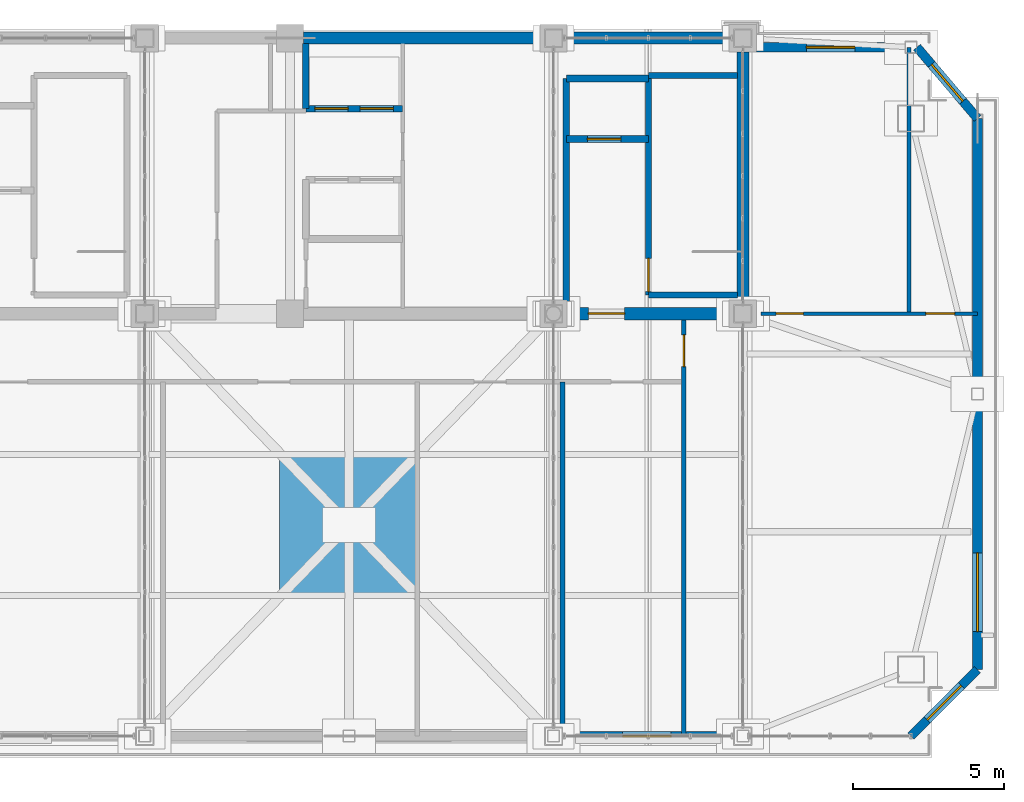
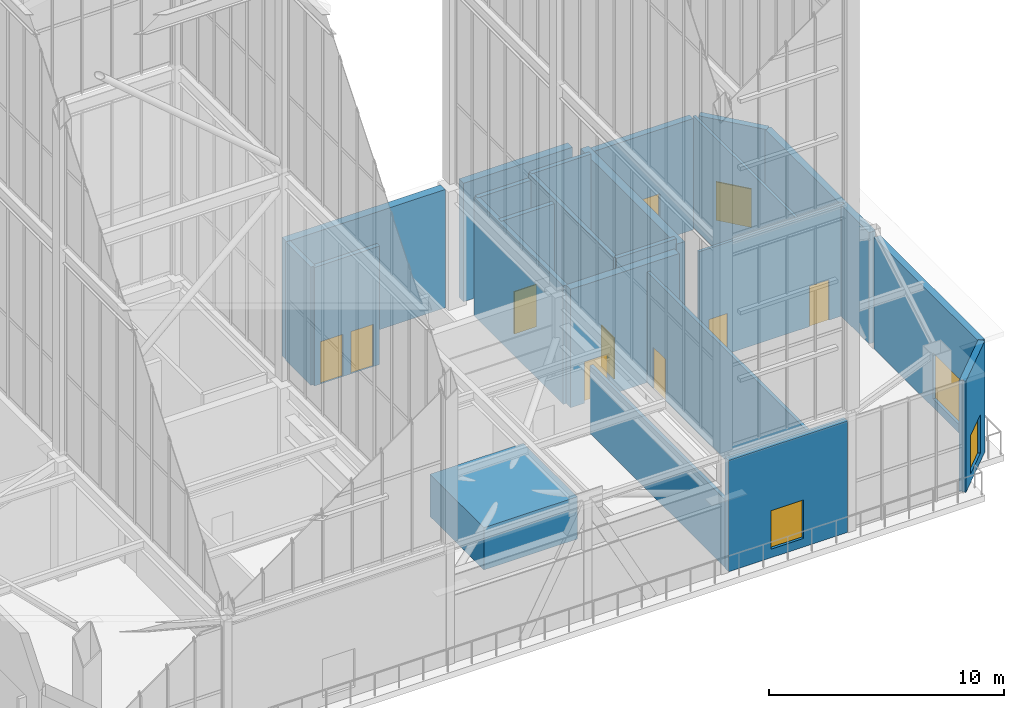
# One storey, part 132 of 135: 22 walls, 8 doors, 5 windows, 1 discrete accessory, 13 openings.
"""IFC4 building model written with IfcOpenShell, lengths in metres."""

import ifcopenshell
import ifcopenshell.guid

model = None  # the IFC model being written
_history = None  # IfcOwnerHistory: only IFC2X3 demands one
_inside = {}  # id of a spatial element -> (the spatial element, [elements in it])
_under = {}  # id of a project, library or spatial element -> (it, [spatial elements below it])
_declared = {}  # id of a project -> (the project, [libraries it declares])
_typed = {}  # id of a type object -> (the type object, [elements of that type])
_made_of = {}  # id of a material, layer set ... -> (it, [elements and type objects made of it])


def new_model(schema):
    """Start an empty IFC model of exactly this schema.

    Asked for "IFC4X3", IfcOpenShell would pick the latest addendum, in which some entities
    have other attributes; the version numbers below select the first issue.
    IFC2X3 requires an IfcOwnerHistory on every rooted entity: one is made here for all.
    """
    global model, _history
    if schema == "IFC4X3":
        model = ifcopenshell.file(schema_version=(4, 3, 0, 0))
    else:
        model = ifcopenshell.file(schema=schema)
    _inside.clear()
    _under.clear()
    _declared.clear()
    _typed.clear()
    _made_of.clear()
    _history = None
    if model.schema == "IFC2X3":
        org = make("IfcOrganization", Name="unknown")
        user = make(
            "IfcPersonAndOrganization",
            ThePerson=make("IfcPerson", FamilyName="unknown"),
            TheOrganization=org,
        )
        app = make(
            "IfcApplication",
            ApplicationDeveloper=org,
            Version="unknown",
            ApplicationFullName="unknown",
            ApplicationIdentifier="unknown",
        )
        _history = make(
            "IfcOwnerHistory",
            OwningUser=user,
            OwningApplication=app,
            ChangeAction="ADDED",
            CreationDate=0,
        )
    return model


def make(cls, **values):
    """One entity of the class cls with the attributes given. An attribute that is None is left unset."""
    return model.create_entity(
        cls, **{name: value for name, value in values.items() if value is not None}
    )


def rooted(cls, **values):
    """An entity with a GlobalId (a new one), such as an element, a storey or a relation."""
    return make(cls, GlobalId=ifcopenshell.guid.new(), OwnerHistory=_history, **values)


def si_unit(unit_type, name, prefix=None):
    """IfcSIUnit, for example si_unit("LENGTHUNIT", "METRE", prefix="MILLI")."""
    return make("IfcSIUnit", UnitType=unit_type, Prefix=prefix, Name=name)


def assignment(units):
    """IfcUnitAssignment: the units of a project."""
    return None if units is None else make("IfcUnitAssignment", Units=units)


def point(xyz):
    """IfcCartesianPoint."""
    return None if xyz is None else make("IfcCartesianPoint", Coordinates=xyz)


def direction(xyz):
    """IfcDirection."""
    return None if xyz is None else make("IfcDirection", DirectionRatios=xyz)


def frame(location, z_axis=None, x_axis=None):
    """IfcAxis2Placement3D, a coordinate frame: its origin and axes. An axis left out is left unset."""
    return make(
        "IfcAxis2Placement3D",
        Location=point(location),
        Axis=direction(z_axis),
        RefDirection=direction(x_axis),
    )


def frame_2d(location, x_axis=None):
    """IfcAxis2Placement2D, a coordinate frame in the plane: its origin and x axis."""
    return make(
        "IfcAxis2Placement2D", Location=point(location), RefDirection=direction(x_axis)
    )


def origin():
    """The frame at (0, 0, 0) with its axes left unset."""
    return frame((0.0, 0.0, 0.0))


def origin_2d():
    """The frame at (0, 0) in the plane with its x axis left unset."""
    return frame_2d((0.0, 0.0))


def place(relative_to, where):
    """IfcLocalPlacement: puts the frame where relative to a parent placement (None: the world)."""
    return make(
        "IfcLocalPlacement", PlacementRelTo=relative_to, RelativePlacement=where
    )


def context(
    kind, dimensions, precision=None, world=None, true_north=None, identifier=None
):
    """IfcGeometricRepresentationContext, for example the 3D "Model" context."""
    return make(
        "IfcGeometricRepresentationContext",
        ContextIdentifier=identifier,
        ContextType=kind,
        CoordinateSpaceDimension=dimensions,
        Precision=precision,
        WorldCoordinateSystem=world,
        TrueNorth=true_north,
    )


def subcontext(parent, identifier, kind, view, scale=None):
    """IfcGeometricRepresentationSubContext, for example "Body" below "Model"."""
    return make(
        "IfcGeometricRepresentationSubContext",
        ContextIdentifier=identifier,
        ContextType=kind,
        ParentContext=parent,
        TargetScale=scale,
        TargetView=view,
    )


def project(units=None, contexts=None):
    """IfcProject with its units and contexts."""
    return rooted(
        "IfcProject",
        Name="project",
        RepresentationContexts=contexts,
        UnitsInContext=assignment(units),
    )


def spatial(cls, under=None, at=None, **own):
    """A site, building, storey or space (cls), placed at a placement, below another one or the project."""
    s = rooted(cls, ObjectPlacement=at, **own)
    if under is not None:
        _under.setdefault(under.id(), (under, []))[1].append(s)
    return s


def profile(cls, at=None, kind="AREA", **sizes):
    """A parametric profile (cls). Its sizes go by their IFC names, for example OverallWidth=200.0."""
    return make(cls, ProfileType=kind, Position=at, **sizes)


def rectangle(**sizes):
    """IfcRectangleProfileDef."""
    return profile("IfcRectangleProfileDef", **sizes)


def extrude(swept, where, along, depth):
    """IfcExtrudedAreaSolid: the profile swept, set in the frame where, extruded along a direction by depth."""
    return make(
        "IfcExtrudedAreaSolid",
        SweptArea=swept,
        Position=where,
        ExtrudedDirection=direction(along),
        Depth=depth,
    )


def shape(context_of_items, identifier, shape_type, items):
    """IfcShapeRepresentation: the items that make up one representation, for example the "Body"."""
    return make(
        "IfcShapeRepresentation",
        ContextOfItems=context_of_items,
        RepresentationIdentifier=identifier,
        RepresentationType=shape_type,
        Items=items,
    )


def source(mapping_origin, context_of_items, identifier, shape_type, items):
    """IfcRepresentationMap: a shape defined once, which mapped items show again and again."""
    return make(
        "IfcRepresentationMap",
        MappingOrigin=mapping_origin,
        MappedRepresentation=shape(context_of_items, identifier, shape_type, items),
    )


def transform(
    local_origin,
    x_axis=None,
    y_axis=None,
    z_axis=None,
    scale=None,
    scale2=None,
    scale3=None,
    uniform=True,
):
    """IfcCartesianTransformationOperator3D, or its non-uniform kind. x_axis, y_axis, z_axis: its Axis1, 2, 3."""
    if uniform:
        return make(
            "IfcCartesianTransformationOperator3D",
            Axis1=direction(x_axis),
            Axis2=direction(y_axis),
            LocalOrigin=point(local_origin),
            Scale=scale,
            Axis3=direction(z_axis),
        )
    return make(
        "IfcCartesianTransformationOperator3DnonUniform",
        Axis1=direction(x_axis),
        Axis2=direction(y_axis),
        LocalOrigin=point(local_origin),
        Scale=scale,
        Axis3=direction(z_axis),
        Scale2=scale2,
        Scale3=scale3,
    )


def mapped(mapping_source, mapping_target):
    """IfcMappedItem: shows the shape of a source again, moved by a transform."""
    return make(
        "IfcMappedItem", MappingSource=mapping_source, MappingTarget=mapping_target
    )


def material(Name=None, Category=None):
    """IfcMaterial."""
    return make("IfcMaterial", Name=Name, Category=Category)


def layer(
    of_material, thickness, ventilated=None, Name=None, Category=None, Priority=None
):
    """IfcMaterialLayer: one layer of a wall or slab, of a material (None: an air gap)."""
    return make(
        "IfcMaterialLayer",
        Material=of_material,
        LayerThickness=thickness,
        IsVentilated=ventilated,
        Name=Name,
        Category=Category,
        Priority=Priority,
    )


def layer_set(layers, Name=None):
    """IfcMaterialLayerSet."""
    return make("IfcMaterialLayerSet", MaterialLayers=layers, LayerSetName=Name)


def made_of(thing, what):
    """Note that an element or type object is made of a material, layer set ...; save() writes the relation."""
    if what is not None:
        _made_of.setdefault(what.id(), (what, []))[1].append(thing)
    return thing


def type_object(cls, material=None, **own):
    """A type object (cls), such as IfcWallType, which elements share."""
    return made_of(rooted(cls, **own), material)


def element(
    cls,
    number,
    at=None,
    inside=None,
    cuts=None,
    type_object=None,
    material=None,
    context=None,
    identifier="Body",
    shape_type=None,
    held_by="IfcProductDefinitionShape",
    body=None,
    shapes=None,
    **own,
):
    """One element of the class cls, such as IfcWall. Its Tag is "e" and its number.

    at: its placement. inside: the storey or other place that contains it. cuts: it is an
    opening in that element (IfcRelVoidsElement). A single representation is given by context,
    identifier, shape_type and body (its items); several are given by shapes. held_by: the class
    of the entity that holds the representations. save() writes the other relations.
    """
    e = rooted(cls, Tag="e%d" % number, ObjectPlacement=at, **own)
    if body is not None:
        shapes = [shape(context, identifier, shape_type, body)]
    if shapes is not None:
        e.Representation = make(held_by, Representations=shapes)
    if inside is not None:
        _inside.setdefault(inside.id(), (inside, []))[1].append(e)
    if cuts is not None:
        rooted(
            "IfcRelVoidsElement", RelatingBuildingElement=cuts, RelatedOpeningElement=e
        )
    if type_object is not None:
        _typed.setdefault(type_object.id(), (type_object, []))[1].append(e)
    return made_of(e, material)


def fill(opening, filler):
    """IfcRelFillsElement: the door or window that sits in an opening."""
    return rooted(
        "IfcRelFillsElement",
        RelatingOpeningElement=opening,
        RelatedBuildingElement=filler,
    )


def aggregate(whole, parts):
    """IfcRelAggregates: a whole, such as a stair, and the parts it consists of."""
    return rooted("IfcRelAggregates", RelatingObject=whole, RelatedObjects=parts)


def save(model, path):
    """Write the relations noted so far, then the file.

    IfcRelAggregates (storeys below a building ...), IfcRelContainedInSpatialStructure (elements
    in a storey), IfcRelDefinesByType, IfcRelAssociatesMaterial and IfcRelDeclares: one each for
    every whole, place, type object, material and project.
    """
    for whole, parts in _under.values():
        aggregate(whole, parts)
    for where, things in _inside.values():
        rooted(
            "IfcRelContainedInSpatialStructure",
            RelatedElements=things,
            RelatingStructure=where,
        )
    for kind, things in _typed.values():
        rooted("IfcRelDefinesByType", RelatedObjects=things, RelatingType=kind)
    for what, things in _made_of.values():
        rooted("IfcRelAssociatesMaterial", RelatedObjects=things, RelatingMaterial=what)
    for by, libraries in _declared.values():
        rooted("IfcRelDeclares", RelatingContext=by, RelatedDefinitions=libraries)
    model.write(path)


model = new_model("IFC4")

# Units and contexts
model_context = context("Model", 3, precision=1e-05, world=origin(), true_north=direction((0.0, 1.0)))
body_context = subcontext(model_context, "Body", "Model", "MODEL_VIEW")
ifc_project = project(units=[si_unit("LENGTHUNIT", "METRE"), si_unit("AREAUNIT", "SQUARE_METRE"), si_unit("VOLUMEUNIT", "CUBIC_METRE"), si_unit("PLANEANGLEUNIT", "RADIAN"), si_unit("MASSUNIT", "GRAM", prefix="KILO")], contexts=[model_context])

# Site, building, storey
site_placement = place(None, origin())
site = spatial("IfcSite", under=ifc_project, at=site_placement, CompositionType="ELEMENT")
building_placement = place(site_placement, origin())
building = spatial("IfcBuilding", under=site, at=building_placement, Name="Giltprow Tower", CompositionType="ELEMENT")
storey_placement = place(building_placement, frame((0.0, 0.0, 352.699951171875)))
storey = spatial("IfcBuildingStorey", under=building, at=storey_placement, Name="L92", CompositionType="ELEMENT", Elevation=352.699951171875)

# Wall, opening, window
ifc_material_1 = material(Name="Precast concrete C40", Category="concrete")
ifc_layer_1 = layer(ifc_material_1, 0.300048828125, Name="Precast concrete C40")
ifc_layer_set_1 = layer_set([ifc_layer_1], Name="Precast concrete C40")
wall_type_1 = type_object("IfcWallType", Name="EW-NOTCH-CHAMFER-300", PredefinedType="SOLIDWALL", material=ifc_layer_set_1)
wall_1_placement = place(storey_placement, frame((56.10009765625, 23.5, 0.0), z_axis=(0.0, 0.0, 1.0), x_axis=(0.707106781187, 0.707106781187, 0.0)))
wall_1 = element("IfcWall", 1, at=wall_1_placement, inside=storey, type_object=wall_type_1, Name="L92 Corner Notch Wall SE", PredefinedType="SOLIDWALL", context=body_context, shape_type="SweptSolid", body=[
    extrude(rectangle(XDim=3.111083984375, YDim=0.300048828125, at=frame_2d((1.5556640625, 0.0))), origin(), (0.0, 0.0, 1.0), 5.7900390625),
])
opening_1_placement = place(wall_1_placement, frame((0.756103515625, 0.0, 0.449951171875)))
opening_1 = element("IfcOpeningElement", 2, at=opening_1_placement, cuts=wall_1, Name="Opening WN17", PredefinedType="OPENING", context=body_context, shape_type="SweptSolid", body=[
    extrude(rectangle(XDim=1.60009765625, YDim=2.0, at=frame_2d((0.800048828125, 1.0))), frame((0.0, 0.159912109375, 0.0), z_axis=(0.0, -1.0, 0.0), x_axis=(1.0, 0.0, 0.0)), (0.0, 0.0, 1.0), 0.320068359375),
])
ifc_material_2 = material(Name="Insulated glass", Category="glass")
window_type_1 = type_object("IfcWindowType", Name="WN-COR-1600x2000", PartitioningType="SINGLE_PANEL", PredefinedType="WINDOW", material=ifc_material_2)
shared_shape_1 = source(origin(), body_context, "Body", "SweptSolid", [
    extrude(rectangle(XDim=1.60009765625, YDim=2.0, at=frame_2d((0.800048828125, 1.0))), frame((0.0, 0.030029296875, 0.0), z_axis=(0.0, -1.0, 0.0), x_axis=(1.0, 0.0, 0.0)), (0.0, 0.0, 1.0), 0.06005859375),
])
window_1_placement = place(opening_1_placement, origin())
window_1 = element("IfcWindow", 3, at=window_1_placement, inside=storey, type_object=window_type_1, Name="L92 Corner Notch Window SE", OverallHeight=2.0, OverallWidth=1.60009765625, PartitioningType="SINGLE_PANEL", PredefinedType="WINDOW", context=body_context, shape_type="MappedRepresentation", body=[
    mapped(shared_shape_1, transform((0.0, 0.0, 0.0), x_axis=(1.0, 0.0, 0.0), y_axis=(0.0, 1.0, 0.0), z_axis=(0.0, 0.0, 1.0), scale=1.0)),
])
fill(opening_1, window_1)

wall_2_placement = place(storey_placement, frame((58.300048828125, 43.89990234375, 0.0), z_axis=(0.0, 0.0, 1.0), x_axis=(-0.648103010114, 0.761552682538, 0.0)))
wall_2 = element("IfcWall", 4, at=wall_2_placement, inside=storey, type_object=wall_type_1, Name="L92 Corner Notch Wall NE", PredefinedType="SOLIDWALL", context=body_context, shape_type="SweptSolid", body=[
    extrude(rectangle(XDim=3.0859375, YDim=0.300048828125, at=frame_2d((1.54296875, 0.0))), origin(), (0.0, 0.0, 1.0), 5.7900390625),
])
opening_2_placement = place(wall_2_placement, frame((0.742919921875, 0.0, 0.449951171875)))
opening_2 = element("IfcOpeningElement", 5, at=opening_2_placement, cuts=wall_2, Name="Opening WN17", PredefinedType="OPENING", context=body_context, shape_type="SweptSolid", body=[
    extrude(rectangle(XDim=1.60009765625, YDim=2.0, at=frame_2d((0.800048828125, 1.0))), frame((0.0, 0.159912109375, 0.0), z_axis=(0.0, -1.0, 0.0), x_axis=(1.0, 0.0, 0.0)), (0.0, 0.0, 1.0), 0.320068359375),
])
window_2_placement = place(opening_2_placement, origin())
window_2 = element("IfcWindow", 6, at=window_2_placement, inside=storey, type_object=window_type_1, Name="L92 Corner Notch Window NE", OverallHeight=2.0, OverallWidth=1.60009765625, PartitioningType="SINGLE_PANEL", PredefinedType="WINDOW", context=body_context, shape_type="MappedRepresentation", body=[
    mapped(shared_shape_1, transform((0.0, 0.0, 0.0), x_axis=(1.0, 0.0, 0.0), y_axis=(0.0, 1.0, 0.0), z_axis=(0.0, 0.0, 1.0), scale=1.0)),
])
fill(opening_2, window_2)

ifc_layer_2 = layer(ifc_material_1, 0.320068359375, Name="Precast concrete C40")
ifc_layer_set_2 = layer_set([ifc_layer_2], Name="Precast concrete C40")
wall_type_2 = type_object("IfcWallType", Name="EW-TOW-STONE-320", PredefinedType="SOLIDWALL", material=ifc_layer_set_2)
wall_3_placement = place(storey_placement, frame((44.5, 23.5, 0.0), z_axis=(0.0, 0.0, 1.0), x_axis=(1.0, 0.0, 0.0)))
wall_3 = element("IfcWall", 7, at=wall_3_placement, inside=storey, type_object=wall_type_2, Name="L92 South Expressed Frame Wall 5", PredefinedType="SOLIDWALL", context=body_context, shape_type="SweptSolid", body=[
    extrude(rectangle(XDim=5.85009765625, YDim=0.320068359375, at=frame_2d((2.925048828125, 0.0))), origin(), (0.0, 0.0, 1.0), 5.7900390625),
])
opening_3_placement = place(wall_3_placement, frame((2.080078125, 0.0, 0.449951171875)))
opening_3 = element("IfcOpeningElement", 8, at=opening_3_placement, cuts=wall_3, Name="Opening WN17", PredefinedType="OPENING", context=body_context, shape_type="SweptSolid", body=[
    extrude(rectangle(XDim=1.60009765625, YDim=2.0, at=frame_2d((0.800048828125, 1.0))), frame((0.0, 0.169921875, 0.0), z_axis=(0.0, -1.0, 0.0), x_axis=(1.0, 0.0, 0.0)), (0.0, 0.0, 1.0), 0.340087890625),
])
window_3_placement = place(opening_3_placement, origin())
window_3 = element("IfcWindow", 9, at=window_3_placement, inside=storey, type_object=window_type_1, Name="L92 South Window 5", OverallHeight=2.0, OverallWidth=1.60009765625, PartitioningType="SINGLE_PANEL", PredefinedType="WINDOW", context=body_context, shape_type="MappedRepresentation", body=[
    mapped(shared_shape_1, transform((0.0, 0.0, 0.0), x_axis=(1.0, 0.0, 0.0), y_axis=(0.0, 1.0, 0.0), z_axis=(0.0, 0.0, 1.0), scale=1.0)),
])
fill(opening_3, window_3)

wall_4_placement = place(storey_placement, frame((58.300048828125, 25.699951171875, 0.0), z_axis=(0.0, 0.0, 1.0), x_axis=(0.0, 1.0, 0.0)))
wall_4 = element("IfcWall", 10, at=wall_4_placement, inside=storey, type_object=wall_type_2, Name="L92 E Wing Masonry Wall 1", PredefinedType="SOLIDWALL", context=body_context, shape_type="SweptSolid", body=[
    extrude(rectangle(XDim=8.900146484375, YDim=0.320068359375, at=frame_2d((4.4501953125, 0.0))), origin(), (0.0, 0.0, 1.0), 5.7900390625),
])
opening_4_placement = place(wall_4_placement, frame((1.25390625, 0.0, 0.449951171875)))
opening_4 = element("IfcOpeningElement", 11, at=opening_4_placement, cuts=wall_4, Name="Opening WN19", PredefinedType="OPENING", context=body_context, shape_type="SweptSolid", body=[
    extrude(rectangle(XDim=2.60009765625, YDim=2.39990234375, at=frame_2d((1.300048828125, 1.199951171875))), frame((0.0, 0.169921875, 0.0), z_axis=(0.0, -1.0, 0.0), x_axis=(1.0, 0.0, 0.0)), (0.0, 0.0, 1.0), 0.340087890625),
])
window_type_2 = type_object("IfcWindowType", Name="WN-OBS-2600x2400", PartitioningType="DOUBLE_PANEL_VERTICAL", PredefinedType="WINDOW", material=ifc_material_2)
shared_shape_2 = source(origin(), body_context, "Body", "SweptSolid", [
    extrude(rectangle(XDim=2.60009765625, YDim=2.39990234375, at=frame_2d((1.300048828125, 1.199951171875))), frame((0.0, 0.030029296875, 0.0), z_axis=(0.0, -1.0, 0.0), x_axis=(1.0, 0.0, 0.0)), (0.0, 0.0, 1.0), 0.06005859375),
])
window_4_placement = place(opening_4_placement, origin())
window_4 = element("IfcWindow", 12, at=window_4_placement, inside=storey, type_object=window_type_2, Name="L92 E Wing Window 1-1A", OverallHeight=2.39990234375, OverallWidth=2.60009765625, PartitioningType="SINGLE_PANEL", PredefinedType="WINDOW", context=body_context, shape_type="MappedRepresentation", body=[
    mapped(shared_shape_2, transform((0.0, 0.0, 0.0), x_axis=(1.0, 0.0, 0.0), y_axis=(0.0, 1.0, 0.0), z_axis=(0.0, 0.0, 1.0), scale=1.0)),
])
fill(opening_4, window_4)

# Wall
wall_5_placement = place(storey_placement, frame((58.300048828125, 35.0, 0.0), z_axis=(0.0, 0.0, 1.0), x_axis=(0.0, 1.0, 0.0)))
element("IfcWall", 13, at=wall_5_placement, inside=storey, type_object=wall_type_2, Name="L92 E Wing Masonry Wall 2", PredefinedType="SOLIDWALL", context=body_context, shape_type="SweptSolid", body=[
    extrude(rectangle(XDim=8.89990234375, YDim=0.320068359375, at=frame_2d((4.449951171875, 0.0))), origin(), (0.0, 0.0, 1.0), 5.7900390625),
])

# Wall, opening, window
wall_6_placement = place(storey_placement, frame((51.0, 46.25, 0.0), z_axis=(0.0, 0.0, 1.0), x_axis=(1.0, 0.0, 0.0)))
wall_6 = element("IfcWall", 14, at=wall_6_placement, inside=storey, type_object=wall_type_2, Name="L92 North-East Wing Wall", PredefinedType="SOLIDWALL", context=body_context, shape_type="SweptSolid", body=[
    extrude(rectangle(XDim=4.89990234375, YDim=0.320068359375, at=frame_2d((2.449951171875, 0.0))), origin(), (0.0, 0.0, 1.0), 5.7900390625),
])
opening_5_placement = place(wall_6_placement, frame((1.64990234375, 0.0, 0.449951171875)))
opening_5 = element("IfcOpeningElement", 15, at=opening_5_placement, cuts=wall_6, Name="Opening WN17", PredefinedType="OPENING", context=body_context, shape_type="SweptSolid", body=[
    extrude(rectangle(XDim=1.60009765625, YDim=2.0, at=frame_2d((0.800048828125, 1.0))), frame((0.0, 0.169921875, 0.0), z_axis=(0.0, -1.0, 0.0), x_axis=(1.0, 0.0, 0.0)), (0.0, 0.0, 1.0), 0.340087890625),
])
window_5_placement = place(opening_5_placement, origin())
window_5 = element("IfcWindow", 16, at=window_5_placement, inside=storey, type_object=window_type_1, Name="L92 North-East Window", OverallHeight=2.0, OverallWidth=1.60009765625, PartitioningType="SINGLE_PANEL", PredefinedType="WINDOW", context=body_context, shape_type="MappedRepresentation", body=[
    mapped(shared_shape_1, transform((0.0, 0.0, 0.0), x_axis=(1.0, 0.0, 0.0), y_axis=(0.0, 1.0, 0.0), z_axis=(0.0, 0.0, 1.0), scale=1.0)),
])
fill(opening_5, window_5)

# Wall, opening, door
ifc_material_3 = material(Name="Gypsum stud partition", Category="gypsum")
ifc_layer_3 = layer(ifc_material_3, 0.159912109375, Name="Gypsum stud partition")
ifc_layer_set_3 = layer_set([ifc_layer_3], Name="Gypsum stud partition")
wall_type_3 = type_object("IfcWallType", Name="IW-DEMISE-160", PredefinedType="PARTITIONING", material=ifc_layer_set_3)
wall_7_placement = place(storey_placement, frame((48.60009765625, 23.5, 0.0), z_axis=(0.0, 0.0, 1.0), x_axis=(0.0, 1.0, 0.0)))
wall_7 = element("IfcWall", 17, at=wall_7_placement, inside=storey, type_object=wall_type_3, Name="L92 East Salon Wall", PredefinedType="PARTITIONING", context=body_context, shape_type="SweptSolid", body=[
    extrude(rectangle(XDim=13.949951171875, YDim=0.159912109375, at=frame_2d((6.97509765625, 0.0))), origin(), (0.0, 0.0, 1.0), 5.7451171875),
])
opening_6_placement = place(wall_7_placement, frame((12.199951171875, 0.0, 0.0)))
opening_6 = element("IfcOpeningElement", 18, at=opening_6_placement, cuts=wall_7, Name="Opening ID31", PredefinedType="OPENING", context=body_context, shape_type="SweptSolid", body=[
    extrude(rectangle(XDim=1.050048828125, YDim=2.14990234375, at=frame_2d((0.52490234375, 1.074951171875))), frame((0.0, 0.08984375, 0.0), z_axis=(0.0, -1.0, 0.0), x_axis=(1.0, 0.0, 0.0)), (0.0, 0.0, 1.0), 0.179931640625),
])
ifc_material_4 = material(Name="Engineered timber", Category="wood")
door_type_1 = type_object("IfcDoorType", Name="DR-SUITE-1050", OperationType="SINGLE_SWING_LEFT", PredefinedType="DOOR", material=ifc_material_4)
shared_shape_3 = source(origin(), body_context, "Body", "SweptSolid", [
    extrude(rectangle(XDim=1.050048828125, YDim=2.14990234375, at=frame_2d((0.52490234375, 1.074951171875))), frame((0.0, 0.02490234375, 0.0), z_axis=(0.0, -1.0, 0.0), x_axis=(1.0, 0.0, 0.0)), (0.0, 0.0, 1.0), 0.050048828125),
])
door_1_placement = place(opening_6_placement, origin())
door_1 = element("IfcDoor", 19, at=door_1_placement, inside=storey, type_object=door_type_1, Name="L92 East Horizon Salon Door", OperationType="SINGLE_SWING_RIGHT", OverallHeight=2.14990234375, OverallWidth=1.050048828125, PredefinedType="DOOR", context=body_context, shape_type="MappedRepresentation", body=[
    mapped(shared_shape_3, transform((0.0, 0.0, 0.0), x_axis=(1.0, 0.0, 0.0), y_axis=(0.0, 1.0, 0.0), z_axis=(0.0, 0.0, 1.0), scale=1.0)),
])
fill(opening_6, door_1)

# Wall
wall_8_placement = place(storey_placement, frame((44.60009765625, 23.5, 0.0), z_axis=(0.0, 0.0, 1.0), x_axis=(0.0, 1.0, 0.0)))
element("IfcWall", 20, at=wall_8_placement, inside=storey, type_object=wall_type_3, Name="L92 Observatory Wall 3", PredefinedType="PARTITIONING", context=body_context, shape_type="SweptSolid", body=[
    extrude(rectangle(XDim=11.699951171875, YDim=0.159912109375, at=frame_2d((5.85009765625, 0.0))), origin(), (0.0, 0.0, 1.0), 3.53515625),
])

# Wall, opening, door
ifc_material_5 = material(Name="Concrete C40", Category="concrete")
ifc_layer_4 = layer(ifc_material_5, 0.219970703125, Name="Concrete C40")
ifc_layer_set_4 = layer_set([ifc_layer_4], Name="Concrete C40")
wall_type_4 = type_object("IfcWallType", Name="IW-SHAFT-220", PredefinedType="SOLIDWALL", material=ifc_layer_set_4)
wall_9_placement = place(storey_placement, frame((44.719970703125, 43.219970703125, 0.0), z_axis=(0.0, 0.0, 1.0), x_axis=(1.0, 0.0, 0.0)))
wall_9 = element("IfcWall", 21, at=wall_9_placement, inside=storey, type_object=wall_type_4, Name="L92 FFL2 Front Shaft Wall", PredefinedType="SOLIDWALL", context=body_context, shape_type="SweptSolid", body=[
    extrude(rectangle(XDim=2.719970703125, YDim=0.219970703125, at=frame_2d((1.35986328125, 0.0))), origin(), (0.0, 0.0, 1.0), 6.16015625),
])
opening_7_placement = place(wall_9_placement, frame((0.699951171875, 0.0, 0.0)))
opening_7 = element("IfcOpeningElement", 22, at=opening_7_placement, cuts=wall_9, Name="Opening LD-11", PredefinedType="OPENING", context=body_context, shape_type="SweptSolid", body=[
    extrude(rectangle(XDim=1.10009765625, YDim=2.199951171875, at=frame_2d((0.550048828125, 1.10009765625))), frame((0.0, 0.119873046875, 0.0), z_axis=(0.0, -1.0, 0.0), x_axis=(1.0, 0.0, 0.0)), (0.0, 0.0, 1.0), 0.239990234375),
])
ifc_material_6 = material(Name="Stainless steel", Category="steel")
door_type_2 = type_object("IfcDoorType", Name="DR-LIFT-LD1100", OperationType="SLIDING_TO_LEFT", PredefinedType="DOOR", material=ifc_material_6)
shared_shape_4 = source(origin(), body_context, "Body", "SweptSolid", [
    extrude(rectangle(XDim=1.10009765625, YDim=2.199951171875, at=frame_2d((0.550048828125, 1.10009765625))), frame((0.0, 0.02490234375, 0.0), z_axis=(0.0, -1.0, 0.0), x_axis=(1.0, 0.0, 0.0)), (0.0, 0.0, 1.0), 0.050048828125),
])
door_2_placement = place(opening_7_placement, origin())
door_2 = element("IfcDoor", 23, at=door_2_placement, inside=storey, type_object=door_type_2, Name="L92 FFL2 Landing Door", OperationType="SLIDING_TO_LEFT", OverallHeight=2.199951171875, OverallWidth=1.10009765625, PredefinedType="DOOR", context=body_context, shape_type="MappedRepresentation", body=[
    mapped(shared_shape_4, transform((0.0, 0.0, 0.0), x_axis=(1.0, 0.0, 0.0), y_axis=(0.0, 1.0, 0.0), z_axis=(0.0, 0.0, 1.0), scale=1.0)),
])
fill(opening_7, door_2)

# Walls
wall_10_placement = place(storey_placement, frame((44.719970703125, 45.219970703125, 0.0), z_axis=(0.0, 0.0, 1.0), x_axis=(1.0, 0.0, 0.0)))
element("IfcWall", 24, at=wall_10_placement, inside=storey, type_object=wall_type_4, Name="L92 FFL2 Back Shaft Wall", PredefinedType="SOLIDWALL", context=body_context, shape_type="SweptSolid", body=[
    extrude(rectangle(XDim=2.719970703125, YDim=0.219970703125, at=frame_2d((1.35986328125, 0.0))), origin(), (0.0, 0.0, 1.0), 6.16015625),
])
wall_11_placement = place(storey_placement, frame((44.719970703125, 37.6298828125, 0.0), z_axis=(0.0, 0.0, 1.0), x_axis=(0.0, 1.0, 0.0)))
element("IfcWall", 25, at=wall_11_placement, inside=storey, type_object=wall_type_4, Name="L92 East Firefighting Lobby West Wall", PredefinedType="SOLIDWALL", context=body_context, shape_type="SweptSolid", body=[
    extrude(rectangle(XDim=7.590087890625, YDim=0.219970703125, at=frame_2d((3.794921875, 0.0))), origin(), (0.0, 0.0, 1.0), 6.16015625),
])

# Wall, openings, doors
wall_12_placement = place(storey_placement, frame((36.1201171875, 44.219970703125, 0.0), z_axis=(0.0, 0.0, 1.0), x_axis=(1.0, 0.0, 0.0)))
wall_12 = element("IfcWall", 26, at=wall_12_placement, inside=storey, type_object=wall_type_4, Name="L92 High-Rise Lift Shaft Front Wall N", PredefinedType="SOLIDWALL", context=body_context, shape_type="SweptSolid", body=[
    extrude(rectangle(XDim=3.199951171875, YDim=0.219970703125, at=frame_2d((1.60009765625, 0.0))), origin(), (0.0, 0.0, 1.0), 6.16015625),
])
opening_8_placement = place(wall_12_placement, frame((0.300048828125, 0.0, 0.0)))
opening_8 = element("IfcOpeningElement", 27, at=opening_8_placement, cuts=wall_12, Name="Opening LD-11", PredefinedType="OPENING", context=body_context, shape_type="SweptSolid", body=[
    extrude(rectangle(XDim=1.10009765625, YDim=2.199951171875, at=frame_2d((0.550048828125, 1.10009765625))), frame((0.0, 0.119873046875, 0.0), z_axis=(0.0, -1.0, 0.0), x_axis=(1.0, 0.0, 0.0)), (0.0, 0.0, 1.0), 0.239990234375),
])
opening_9_placement = place(wall_12_placement, frame((1.7900390625, 0.0, 0.0)))
opening_9 = element("IfcOpeningElement", 28, at=opening_9_placement, cuts=wall_12, Name="Opening LD-11", PredefinedType="OPENING", context=body_context, shape_type="SweptSolid", body=[
    extrude(rectangle(XDim=1.10009765625, YDim=2.199951171875, at=frame_2d((0.550048828125, 1.10009765625))), frame((0.0, 0.119873046875, 0.0), z_axis=(0.0, -1.0, 0.0), x_axis=(1.0, 0.0, 0.0)), (0.0, 0.0, 1.0), 0.239990234375),
])
door_3_placement = place(opening_8_placement, origin())
door_3 = element("IfcDoor", 29, at=door_3_placement, inside=storey, type_object=door_type_2, Name="L92 PL-H1 Landing Door", OperationType="SLIDING_TO_LEFT", OverallHeight=2.199951171875, OverallWidth=1.10009765625, PredefinedType="DOOR", context=body_context, shape_type="MappedRepresentation", body=[
    mapped(shared_shape_4, transform((0.0, 0.0, 0.0), x_axis=(1.0, 0.0, 0.0), y_axis=(0.0, 1.0, 0.0), z_axis=(0.0, 0.0, 1.0), scale=1.0)),
])
fill(opening_8, door_3)
door_4_placement = place(opening_9_placement, origin())
door_4 = element("IfcDoor", 30, at=door_4_placement, inside=storey, type_object=door_type_2, Name="L92 PL-H2 Landing Door", OperationType="SLIDING_TO_LEFT", OverallHeight=2.199951171875, OverallWidth=1.10009765625, PredefinedType="DOOR", context=body_context, shape_type="MappedRepresentation", body=[
    mapped(shared_shape_4, transform((0.0, 0.0, 0.0), x_axis=(1.0, 0.0, 0.0), y_axis=(0.0, 1.0, 0.0), z_axis=(0.0, 0.0, 1.0), scale=1.0)),
])
fill(opening_9, door_4)

# Wall
wall_13_placement = place(storey_placement, frame((36.1201171875, 44.219970703125, 0.0), z_axis=(0.0, 0.0, 1.0), x_axis=(0.0, 1.0, 0.0)))
element("IfcWall", 31, at=wall_13_placement, inside=storey, type_object=wall_type_4, Name="L92 High-Rise North Lift West Closure", PredefinedType="SOLIDWALL", context=body_context, shape_type="SweptSolid", body=[
    extrude(rectangle(XDim=2.150146484375, YDim=0.219970703125, at=frame_2d((1.0751953125, 0.0))), origin(), (0.0, 0.0, 1.0), 6.16015625),
])

# Wall, opening, door
ifc_layer_5 = layer(ifc_material_5, 0.199951171875, Name="Concrete C40")
ifc_layer_set_5 = layer_set([ifc_layer_5], Name="Concrete C40")
wall_type_5 = type_object("IfcWallType", Name="IW-STAIR-200", PredefinedType="SOLIDWALL", material=ifc_layer_set_5)
wall_14_placement = place(storey_placement, frame((47.43994140625, 38.070068359375, 0.0), z_axis=(0.0, 0.0, 1.0), x_axis=(0.0, 1.0, 0.0)))
wall_14 = element("IfcWall", 32, at=wall_14_placement, inside=storey, type_object=wall_type_5, Name="L92 Stair ST-3 West Bearing Wall", PredefinedType="SOLIDWALL", context=body_context, shape_type="SweptSolid", body=[
    extrude(rectangle(XDim=7.25, YDim=0.199951171875, at=frame_2d((3.625, 0.0))), origin(), (0.0, 0.0, 1.0), 6.400146484375),
])
opening_10_placement = place(wall_14_placement, frame((0.110107421875, 0.0, 0.0)))
opening_10 = element("IfcOpeningElement", 33, at=opening_10_placement, cuts=wall_14, Name="Opening ID33", PredefinedType="OPENING", context=body_context, shape_type="SweptSolid", body=[
    extrude(rectangle(XDim=1.10009765625, YDim=2.14990234375, at=frame_2d((0.550048828125, 1.074951171875))), frame((0.0, 0.10986328125, 0.0), z_axis=(0.0, -1.0, 0.0), x_axis=(1.0, 0.0, 0.0)), (0.0, 0.0, 1.0), 0.219970703125),
])
ifc_material_7 = material(Name="Steel fire leaf", Category="steel")
door_type_3 = type_object("IfcDoorType", Name="DR-STAIR-1100", OperationType="SINGLE_SWING_LEFT", PredefinedType="DOOR", material=ifc_material_7)
shared_shape_5 = source(origin(), body_context, "Body", "SweptSolid", [
    extrude(rectangle(XDim=1.10009765625, YDim=2.14990234375, at=frame_2d((0.550048828125, 1.074951171875))), frame((0.0, 0.02490234375, 0.0), z_axis=(0.0, -1.0, 0.0), x_axis=(1.0, 0.0, 0.0)), (0.0, 0.0, 1.0), 0.050048828125),
])
door_5_placement = place(opening_10_placement, origin())
door_5 = element("IfcDoor", 34, at=door_5_placement, inside=storey, type_object=door_type_3, Name="L92 Stair ST-3 Fire Door", OperationType="SINGLE_SWING_LEFT", OverallHeight=2.14990234375, OverallWidth=1.10009765625, PredefinedType="DOOR", context=body_context, shape_type="MappedRepresentation", body=[
    mapped(shared_shape_5, transform((0.0, 0.0, 0.0), x_axis=(1.0, 0.0, 0.0), y_axis=(0.0, 1.0, 0.0), z_axis=(0.0, 0.0, 1.0), scale=1.0)),
])
fill(opening_10, door_5)

# Walls
for number, where, z_axis, x_axis, name in (
    (35, (47.43994140625, 45.320068359375, 0.0), (0.0, 0.0, 1.0), (1.0, 0.0, 0.0), "L92 Stair ST-3 North Bearing Wall"),
    (36, (47.43994140625, 38.070068359375, 0.0), (0.0, 0.0, 1.0), (1.0, 0.0, 0.0), "L92 Stair ST-3 South Bearing Wall"),
):
    element("IfcWall", number, at=place(storey_placement, frame(where, z_axis=z_axis, x_axis=x_axis)), inside=storey, type_object=wall_type_5, Name=name, PredefinedType="SOLIDWALL", context=body_context, shape_type="SweptSolid", body=[
        extrude(rectangle(XDim=2.93017578125, YDim=0.199951171875, at=frame_2d((1.465087890625, 0.0))), origin(), (0.0, 0.0, 1.0), 6.400146484375),
    ])

# Wall, openings, doors
ifc_material_8 = material(Name="Concrete C30", Category="concrete")
ifc_layer_6 = layer(ifc_material_8, 0.1298828125, Name="Concrete C30")
ifc_layer_set_6 = layer_set([ifc_layer_6], Name="Concrete C30")
wall_type_6 = type_object("IfcWallType", Name="IW-WET-130", PredefinedType="PARTITIONING", material=ifc_layer_set_6)
wall_15_placement = place(storey_placement, frame((51.14990234375, 37.449951171875, 0.0), z_axis=(0.0, 0.0, 1.0), x_axis=(1.0, 0.0, 0.0)))
wall_15 = element("IfcWall", 37, at=wall_15_placement, inside=storey, type_object=wall_type_6, Name="L92 NE Wing South Wall", PredefinedType="PARTITIONING", context=body_context, shape_type="SweptSolid", body=[
    extrude(rectangle(XDim=7.150146484375, YDim=0.1298828125, at=frame_2d((3.5751953125, 0.0))), origin(), (0.0, 0.0, 1.0), 5.795166015625),
])
opening_11_placement = place(wall_15_placement, frame((0.5, 0.0, 0.0)))
opening_11 = element("IfcOpeningElement", 38, at=opening_11_placement, cuts=wall_15, Name="Opening ID15", PredefinedType="OPENING", context=body_context, shape_type="SweptSolid", body=[
    extrude(rectangle(XDim=0.89990234375, YDim=2.10009765625, at=frame_2d((0.449951171875, 1.050048828125))), frame((0.0, 0.074951171875, 0.0), z_axis=(0.0, -1.0, 0.0), x_axis=(1.0, 0.0, 0.0)), (0.0, 0.0, 1.0), 0.14990234375),
])
opening_12_placement = place(wall_15_placement, frame((5.445068359375, 0.0, 0.0)))
opening_12 = element("IfcOpeningElement", 39, at=opening_12_placement, cuts=wall_15, Name="Opening ID11", PredefinedType="OPENING", context=body_context, shape_type="SweptSolid", body=[
    extrude(rectangle(XDim=0.949951171875, YDim=2.10009765625, at=frame_2d((0.47509765625, 1.050048828125))), frame((0.0, 0.074951171875, 0.0), z_axis=(0.0, -1.0, 0.0), x_axis=(1.0, 0.0, 0.0)), (0.0, 0.0, 1.0), 0.14990234375),
])
door_type_4 = type_object("IfcDoorType", Name="DR-WC-900", OperationType="SINGLE_SWING_LEFT", PredefinedType="DOOR", material=ifc_material_4)
shared_shape_6 = source(origin(), body_context, "Body", "SweptSolid", [
    extrude(rectangle(XDim=0.89990234375, YDim=2.10009765625, at=frame_2d((0.449951171875, 1.050048828125))), frame((0.0, 0.02490234375, 0.0), z_axis=(0.0, -1.0, 0.0), x_axis=(1.0, 0.0, 0.0)), (0.0, 0.0, 1.0), 0.050048828125),
])
door_6_placement = place(opening_11_placement, origin())
door_6 = element("IfcDoor", 40, at=door_6_placement, inside=storey, type_object=door_type_4, Name="L92 East Wing Washroom Door", OperationType="SINGLE_SWING_RIGHT", OverallHeight=2.10009765625, OverallWidth=0.89990234375, PredefinedType="DOOR", context=body_context, shape_type="MappedRepresentation", body=[
    mapped(shared_shape_6, transform((0.0, 0.0, 0.0), x_axis=(1.0, 0.0, 0.0), y_axis=(0.0, 1.0, 0.0), z_axis=(0.0, 0.0, 1.0), scale=1.0)),
])
fill(opening_11, door_6)
door_type_5 = type_object("IfcDoorType", Name="DR-ROOM-950", OperationType="SINGLE_SWING_RIGHT", PredefinedType="DOOR", material=ifc_material_4)
shared_shape_7 = source(origin(), body_context, "Body", "SweptSolid", [
    extrude(rectangle(XDim=0.949951171875, YDim=2.10009765625, at=frame_2d((0.47509765625, 1.050048828125))), frame((0.0, 0.02490234375, 0.0), z_axis=(0.0, -1.0, 0.0), x_axis=(1.0, 0.0, 0.0)), (0.0, 0.0, 1.0), 0.050048828125),
])
door_7_placement = place(opening_12_placement, origin())
door_7 = element("IfcDoor", 41, at=door_7_placement, inside=storey, type_object=door_type_5, Name="L92 Observatory Horizon Lounge Door", OperationType="SINGLE_SWING_RIGHT", OverallHeight=2.10009765625, OverallWidth=0.949951171875, PredefinedType="DOOR", context=body_context, shape_type="MappedRepresentation", body=[
    mapped(shared_shape_7, transform((0.0, 0.0, 0.0), x_axis=(1.0, 0.0, 0.0), y_axis=(0.0, 1.0, 0.0), z_axis=(0.0, 0.0, 1.0), scale=1.0)),
])
fill(opening_12, door_7)

# Walls
wall_16_placement = place(storey_placement, frame((56.044921875, 37.449951171875, 0.0), z_axis=(0.0, 0.0, 1.0), x_axis=(0.0, 1.0, 0.0)))
element("IfcWall", 42, at=wall_16_placement, inside=storey, type_object=wall_type_6, Name="L92 NE Wing Divider", PredefinedType="PARTITIONING", context=body_context, shape_type="SweptSolid", body=[
    extrude(rectangle(XDim=8.800048828125, YDim=0.1298828125, at=frame_2d((4.39990234375, 0.0))), origin(), (0.0, 0.0, 1.0), 5.795166015625),
])
ifc_material_9 = material(Name="Concrete C45", Category="concrete")
ifc_layer_7 = layer(ifc_material_9, 0.39990234375, Name="Concrete C45")
ifc_layer_set_7 = layer_set([ifc_layer_7], Name="Concrete C45")
wall_type_7 = type_object("IfcWallType", Name="SW-EXT-400-C45", PredefinedType="SHEAR", material=ifc_layer_set_7)
wall_17_placement = place(storey_placement, frame((36.050048828125, 46.550048828125, 0.0), z_axis=(0.0, 0.0, 1.0), x_axis=(1.0, 0.0, 0.0)))
element("IfcWall", 43, at=wall_17_placement, inside=storey, type_object=wall_type_7, Name="L92 North Rear Core Shear Wall 3", PredefinedType="SHEAR", context=body_context, shape_type="SweptSolid", body=[
    extrude(rectangle(XDim=7.800048828125, YDim=0.39990234375, at=frame_2d((3.89990234375, 0.0))), origin(), (0.0, 0.0, 1.0), 6.16015625),
])
wall_18_placement = place(storey_placement, frame((44.75, 46.550048828125, 0.0), z_axis=(0.0, 0.0, 1.0), x_axis=(1.0, 0.0, 0.0)))
element("IfcWall", 44, at=wall_18_placement, inside=storey, type_object=wall_type_7, Name="L92 North Rear Core Shear Wall 4", PredefinedType="SHEAR", context=body_context, shape_type="SweptSolid", body=[
    extrude(rectangle(XDim=5.35009765625, YDim=0.39990234375, at=frame_2d((2.675048828125, 0.0))), origin(), (0.0, 0.0, 1.0), 6.16015625),
])

# Wall, opening, door
ifc_layer_8 = layer(ifc_material_9, 0.39990234375, Name="Concrete C45")
ifc_layer_set_8 = layer_set([ifc_layer_8], Name="Concrete C45")
wall_type_8 = type_object("IfcWallType", Name="SW-INT-400-C45", PredefinedType="SHEAR", material=ifc_layer_set_8)
wall_19_placement = place(storey_placement, frame((44.75, 37.449951171875, 0.0), z_axis=(0.0, 0.0, 1.0), x_axis=(1.0, 0.0, 0.0)))
wall_19 = element("IfcWall", 45, at=wall_19_placement, inside=storey, type_object=wall_type_8, Name="L92 South Rear Core Shear Wall East", PredefinedType="SHEAR", context=body_context, shape_type="SweptSolid", body=[
    extrude(rectangle(XDim=5.35009765625, YDim=0.39990234375, at=frame_2d((2.675048828125, 0.0))), origin(), (0.0, 0.0, 1.0), 6.16015625),
])
opening_13_placement = place(wall_19_placement, frame((0.699951171875, 0.0, 0.0)))
opening_13 = element("IfcOpeningElement", 46, at=opening_13_placement, cuts=wall_19, Name="Opening ID19", PredefinedType="OPENING", context=body_context, shape_type="SweptSolid", body=[
    extrude(rectangle(XDim=1.199951171875, YDim=2.14990234375, at=frame_2d((0.60009765625, 1.074951171875))), frame((0.0, 0.2099609375, 0.0), z_axis=(0.0, -1.0, 0.0), x_axis=(1.0, 0.0, 0.0)), (0.0, 0.0, 1.0), 0.419921875),
])
door_type_6 = type_object("IfcDoorType", Name="DR-FFLOBBY-1200", OperationType="SINGLE_SWING_RIGHT", PredefinedType="DOOR", material=ifc_material_7)
shared_shape_8 = source(origin(), body_context, "Body", "SweptSolid", [
    extrude(rectangle(XDim=1.199951171875, YDim=2.14990234375, at=frame_2d((0.60009765625, 1.074951171875))), frame((0.0, 0.02490234375, 0.0), z_axis=(0.0, -1.0, 0.0), x_axis=(1.0, 0.0, 0.0)), (0.0, 0.0, 1.0), 0.050048828125),
])
door_8_placement = place(opening_13_placement, origin())
door_8 = element("IfcDoor", 47, at=door_8_placement, inside=storey, type_object=door_type_6, Name="L92 East Firefighting Lobby Entry Door", OperationType="SINGLE_SWING_RIGHT", OverallHeight=2.14990234375, OverallWidth=1.199951171875, PredefinedType="DOOR", context=body_context, shape_type="MappedRepresentation", body=[
    mapped(shared_shape_8, transform((0.0, 0.0, 0.0), x_axis=(1.0, 0.0, 0.0), y_axis=(0.0, 1.0, 0.0), z_axis=(0.0, 0.0, 1.0), scale=1.0)),
])
fill(opening_13, door_8)

# Wall
wall_20_placement = place(storey_placement, frame((50.550048828125, 37.89990234375, 0.0), z_axis=(0.0, 0.0, 1.0), x_axis=(0.0, 1.0, 0.0)))
element("IfcWall", 48, at=wall_20_placement, inside=storey, type_object=wall_type_8, Name="L92 E Rear Core Shear Wall", PredefinedType="SHEAR", context=body_context, shape_type="SweptSolid", body=[
    extrude(rectangle(XDim=8.2001953125, YDim=0.39990234375, at=frame_2d((4.10009765625, 0.0))), origin(), (0.0, 0.0, 1.0), 6.16015625),
])

# Discrete accessory
ifc_material_10 = material(Name="Structural steel Q355B", Category="steel")
discrete_accessory_type = type_object("IfcDiscreteAccessoryType", Name="TMD-PENDULUM-650T", PredefinedType="USERDEFINED", material=ifc_material_10)
shared_shape_9 = source(origin(), body_context, "Body", "SweptSolid", [
    extrude(rectangle(XDim=4.60009765625, YDim=4.60009765625, at=origin_2d()), origin(), (0.0, 0.0, 1.0), 2.199951171875),
])
discrete_accessory_placement = place(storey_placement, frame((37.550048828125, 30.47509765625, 0.39990234375), z_axis=(0.0, 0.0, 1.0), x_axis=(1.0, 0.0, 0.0)))
element("IfcDiscreteAccessory", 49, at=discrete_accessory_placement, inside=storey, type_object=discrete_accessory_type, Name="Tuned Mass Damper 650t Pendulum Mass", ObjectType="DAMPER", PredefinedType="USERDEFINED", context=body_context, shape_type="MappedRepresentation", body=[
    mapped(shared_shape_9, transform((0.0, 0.0, 0.0), x_axis=(1.0, 0.0, 0.0), y_axis=(0.0, 1.0, 0.0), z_axis=(0.0, 0.0, 1.0), scale=1.0)),
])

save(model, "model.ifc")
